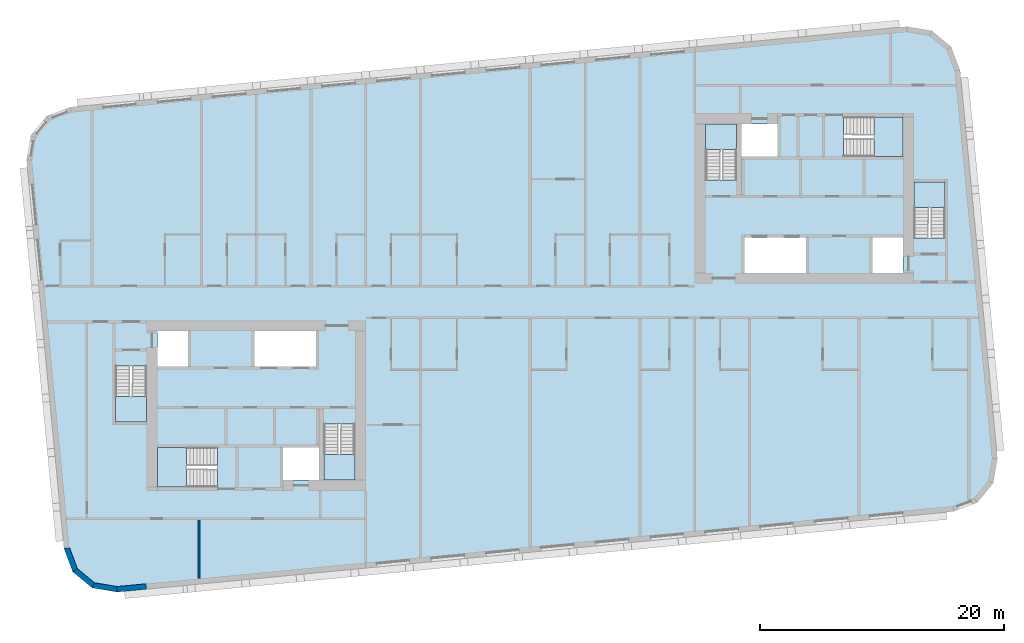
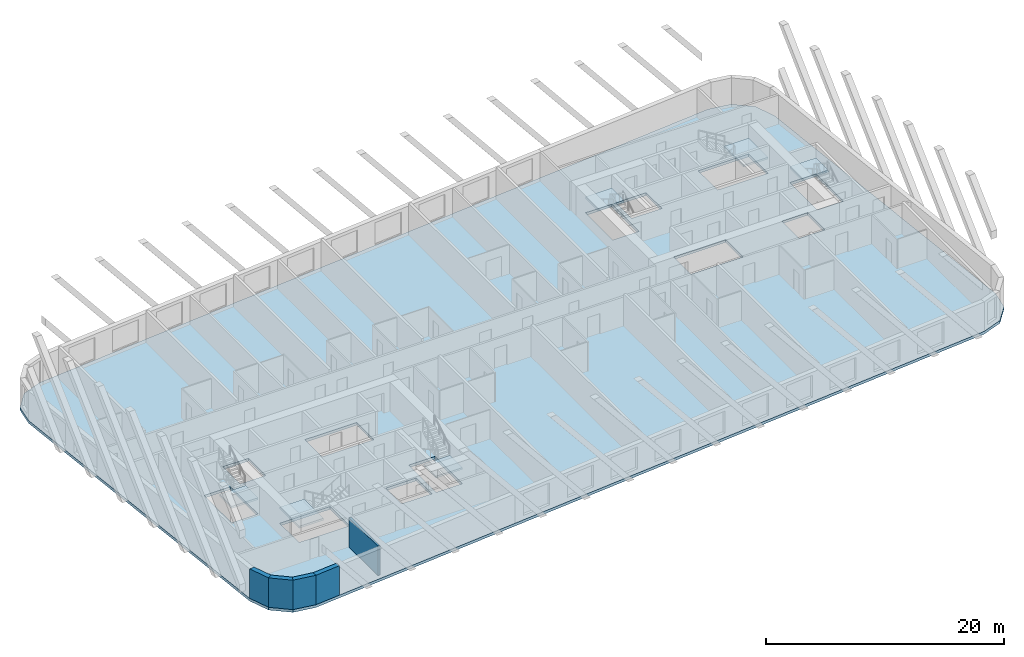
# One storey, part 1 of 12: 7 slabs, 5 walls, 6 elements without a shape of their own.
"""IFC4 building model written with IfcOpenShell, lengths in metres."""

from ifc_helpers import new_model, si_unit, direction, frame, frame_2d, origin, place, context, subcontext, project, spatial, polyline, rectangle, outline, extrude, material, layer, layer_set, type_object, element, aggregate, save


model = new_model("IFC4")

# Units and contexts
model_context = context("Model", 3, precision=1e-05, world=origin(), true_north=direction((0.0, 1.0)))
body_context = subcontext(model_context, "Body", "Model", "MODEL_VIEW")
ifc_project = project(units=[si_unit("LENGTHUNIT", "METRE"), si_unit("AREAUNIT", "SQUARE_METRE"), si_unit("VOLUMEUNIT", "CUBIC_METRE"), si_unit("PLANEANGLEUNIT", "RADIAN"), si_unit("MASSUNIT", "GRAM", prefix="KILO")], contexts=[model_context])

# Site, building, storey
site_placement = place(None, origin())
site = spatial("IfcSite", under=ifc_project, at=site_placement, CompositionType="ELEMENT")
building_placement = place(site_placement, origin())
building = spatial("IfcBuilding", under=site, at=building_placement, Name="Kajstack Hotel Tower", CompositionType="ELEMENT")
storey_placement = place(building_placement, frame((0.0, 0.0, 288.300048828125)))
storey = spatial("IfcBuildingStorey", under=building, at=storey_placement, Name="L72", CompositionType="ELEMENT", Elevation=288.300048828125)

# Slab
ifc_material_1 = material(Name="Concrete C40/50", Category="concrete")
ifc_layer_1 = layer(ifc_material_1, 0.280029296875)
ifc_layer_set_1 = layer_set([ifc_layer_1], Name="RC slab 280 C40/50 guest")
slab_type_1 = type_object("IfcSlabType", Name="RC slab 280 C40/50 guest", PredefinedType="FLOOR", material=ifc_layer_set_1)
slab_1_placement = place(storey_placement, frame((0.0, 0.0, -0.280029296875)))
element("IfcSlab", 1, at=slab_1_placement, inside=storey, type_object=slab_type_1, Name="S-slab-L72", PredefinedType="FLOOR", context=body_context, shape_type="SweptSolid", body=[
    extrude(outline(polyline([(-41.356201171875, 11.63623046875), (-38.289306640625, -20.21630859375), (-37.564208984375, -22.15576171875), (-35.96630859375, -23.472900390625), (-33.92431640625, -23.814697265625), (34.758056640625, -17.201171875), (36.697509765625, -16.47607421875), (38.014404296875, -14.87841796875), (38.356201171875, -12.836181640625), (35.289306640625, 19.016357421875), (34.564208984375, 20.955810546875), (32.96630859375, 22.27294921875), (30.92431640625, 22.614501953125), (-37.758056640625, 16.001220703125), (-39.697509765625, 15.276123046875), (-41.014404296875, 13.678466796875), (-41.356201171875, 11.63623046875)]), holes=[polyline([(-22.64990234375, -5.300048828125), (-22.64990234375, -2.39990234375), (-17.60009765625, -2.39990234375), (-17.60009765625, -5.300048828125), (-22.64990234375, -5.300048828125)]), polyline([(-20.300048828125, -14.60009765625), (-17.35009765625, -14.60009765625), (-17.35009765625, -11.949951171875), (-20.300048828125, -11.949951171875), (-20.300048828125, -14.60009765625)]), polyline([(-30.60009765625, -5.300048828125), (-28.10009765625, -5.300048828125), (-28.10009765625, -2.39990234375), (-30.60009765625, -2.39990234375), (-30.60009765625, -5.300048828125)]), polyline([(17.60009765625, 2.39990234375), (17.60009765625, 5.300048828125), (22.64990234375, 5.300048828125), (22.64990234375, 2.39990234375), (17.60009765625, 2.39990234375)]), polyline([(20.300048828125, 14.60009765625), (17.35009765625, 14.60009765625), (17.35009765625, 11.949951171875), (20.300048828125, 11.949951171875), (20.300048828125, 14.60009765625)]), polyline([(30.60009765625, 5.300048828125), (28.10009765625, 5.300048828125), (28.10009765625, 2.39990234375), (30.60009765625, 2.39990234375), (30.60009765625, 5.300048828125)]), polyline([(-34.050048828125, -9.85009765625), (-31.5, -9.85009765625), (-31.5, -5.25), (-34.050048828125, -5.25), (-34.050048828125, -9.85009765625)]), polyline([(-16.949951171875, -14.60009765625), (-14.39990234375, -14.60009765625), (-14.39990234375, -10.0), (-16.949951171875, -10.0), (-16.949951171875, -14.60009765625)]), polyline([(-30.60009765625, -15.199951171875), (-25.699951171875, -15.199951171875), (-25.699951171875, -11.949951171875), (-30.60009765625, -11.949951171875), (-30.60009765625, -15.199951171875)]), polyline([(34.050048828125, 9.85009765625), (31.5, 9.85009765625), (31.5, 5.25), (34.050048828125, 5.25), (34.050048828125, 9.85009765625)]), polyline([(16.949951171875, 14.60009765625), (14.39990234375, 14.60009765625), (14.39990234375, 10.0), (16.949951171875, 10.0), (16.949951171875, 14.60009765625)]), polyline([(30.60009765625, 15.199951171875), (25.699951171875, 15.199951171875), (25.699951171875, 11.949951171875), (30.60009765625, 11.949951171875), (30.60009765625, 15.199951171875)])]), origin(), (0.0, 0.0, 1.0), 0.280029296875),
])

# Stair, slab
stair_type_1 = type_object("IfcStairType", Name="Exit stair 1200", PredefinedType="HALF_TURN_STAIR", material=ifc_material_1)
stair_1_placement = place(storey_placement, origin())
stair_1 = element("IfcStair", 2, at=stair_1_placement, inside=storey, type_object=stair_type_1, Name="L72 stair W1", PredefinedType="HALF_TURN_STAIR")
ifc_layer_2 = layer(ifc_material_1, 0.199951171875)
ifc_layer_set_2 = layer_set([ifc_layer_2], Name="Stair landing 200")
slab_type_2 = type_object("IfcSlabType", Name="Stair landing 200", PredefinedType="LANDING", material=ifc_layer_set_2)
slab_2_placement = place(storey_placement, frame((0.0, 0.0, 1.449951171875)))
slab_2 = element("IfcSlab", 3, at=slab_2_placement, type_object=slab_type_2, Name="W1 landing 1", PredefinedType="LANDING", context=body_context, shape_type="SweptSolid", body=[
    extrude(outline(polyline([(-34.050048828125, -7.77001953125), (-34.050048828125, -9.85009765625), (-31.5, -9.85009765625), (-31.5, -7.77001953125), (-34.050048828125, -7.77001953125)])), origin(), (0.0, 0.0, 1.0), 0.199951171875),
])
aggregate(stair_1, [slab_2])

stair_2_placement = place(storey_placement, origin())
stair_2 = element("IfcStair", 4, at=stair_2_placement, inside=storey, type_object=stair_type_1, Name="L72 stair W2", PredefinedType="HALF_TURN_STAIR")
slab_3_placement = place(storey_placement, frame((0.0, 0.0, 1.449951171875)))
slab_3 = element("IfcSlab", 5, at=slab_3_placement, type_object=slab_type_2, Name="W2 landing 1", PredefinedType="LANDING", context=body_context, shape_type="SweptSolid", body=[
    extrude(outline(polyline([(-16.949951171875, -12.52001953125), (-16.949951171875, -14.60009765625), (-14.39990234375, -14.60009765625), (-14.39990234375, -12.52001953125), (-16.949951171875, -12.52001953125)])), origin(), (0.0, 0.0, 1.0), 0.199951171875),
])
aggregate(stair_2, [slab_3])

stair_type_2 = type_object("IfcStairType", Name="Exit stair 1500", PredefinedType="HALF_TURN_STAIR", material=ifc_material_1)
stair_3_placement = place(storey_placement, origin())
stair_3 = element("IfcStair", 6, at=stair_3_placement, inside=storey, type_object=stair_type_2, Name="L72 stair W3", PredefinedType="HALF_TURN_STAIR")
slab_4_placement = place(storey_placement, frame((0.0, 0.0, 1.449951171875)))
slab_4 = element("IfcSlab", 7, at=slab_4_placement, type_object=slab_type_2, Name="W3 landing 1", PredefinedType="LANDING", context=body_context, shape_type="SweptSolid", body=[
    extrude(outline(polyline([(-28.219970703125, -11.949951171875), (-30.60009765625, -11.949951171875), (-30.60009765625, -15.199951171875), (-28.219970703125, -15.199951171875), (-28.219970703125, -11.949951171875)])), origin(), (0.0, 0.0, 1.0), 0.199951171875),
])
aggregate(stair_3, [slab_4])

stair_4_placement = place(storey_placement, origin())
stair_4 = element("IfcStair", 8, at=stair_4_placement, inside=storey, type_object=stair_type_1, Name="L72 stair E1", PredefinedType="HALF_TURN_STAIR")
slab_5_placement = place(storey_placement, frame((0.0, 0.0, 1.449951171875)))
slab_5 = element("IfcSlab", 9, at=slab_5_placement, type_object=slab_type_2, Name="E1 landing 1", PredefinedType="LANDING", context=body_context, shape_type="SweptSolid", body=[
    extrude(outline(polyline([(34.050048828125, 7.77001953125), (34.050048828125, 9.85009765625), (31.5, 9.85009765625), (31.5, 7.77001953125), (34.050048828125, 7.77001953125)])), origin(), (0.0, 0.0, 1.0), 0.199951171875),
])
aggregate(stair_4, [slab_5])

stair_5_placement = place(storey_placement, origin())
stair_5 = element("IfcStair", 10, at=stair_5_placement, inside=storey, type_object=stair_type_1, Name="L72 stair E2", PredefinedType="HALF_TURN_STAIR")
slab_6_placement = place(storey_placement, frame((0.0, 0.0, 1.449951171875)))
slab_6 = element("IfcSlab", 11, at=slab_6_placement, type_object=slab_type_2, Name="E2 landing 1", PredefinedType="LANDING", context=body_context, shape_type="SweptSolid", body=[
    extrude(outline(polyline([(16.949951171875, 12.52001953125), (16.949951171875, 14.60009765625), (14.39990234375, 14.60009765625), (14.39990234375, 12.52001953125), (16.949951171875, 12.52001953125)])), origin(), (0.0, 0.0, 1.0), 0.199951171875),
])
aggregate(stair_5, [slab_6])

stair_6_placement = place(storey_placement, origin())
stair_6 = element("IfcStair", 12, at=stair_6_placement, inside=storey, type_object=stair_type_2, Name="L72 stair E3", PredefinedType="HALF_TURN_STAIR")
slab_7_placement = place(storey_placement, frame((0.0, 0.0, 1.449951171875)))
slab_7 = element("IfcSlab", 13, at=slab_7_placement, type_object=slab_type_2, Name="E3 landing 1", PredefinedType="LANDING", context=body_context, shape_type="SweptSolid", body=[
    extrude(outline(polyline([(28.219970703125, 11.949951171875), (30.60009765625, 11.949951171875), (30.60009765625, 15.199951171875), (28.219970703125, 15.199951171875), (28.219970703125, 11.949951171875)])), origin(), (0.0, 0.0, 1.0), 0.199951171875),
])
aggregate(stair_6, [slab_7])

# Walls
ifc_material_2 = material(Name="Terracotta-faced brick masonry", Category="masonry")
ifc_layer_3 = layer(ifc_material_2, 0.449951171875)
ifc_layer_set_3 = layer_set([ifc_layer_3], Name="EW-TERRA")
wall_type_1 = type_object("IfcWallType", Name="EW-TERRA", PredefinedType="SOLIDWALL", material=ifc_layer_set_3)
wall_1_placement = place(storey_placement, frame((-38.078369140625, -20.1376953125, 0.0), z_axis=(0.0, 0.0, 1.0), x_axis=(0.350231589928, -0.936663137642, 0.0)))
element("IfcWall", 14, at=wall_1_placement, inside=storey, type_object=wall_type_1, Name="E-wall-L72-01-00", PredefinedType="SOLIDWALL", context=body_context, shape_type="SweptSolid", body=[
    extrude(outline(polyline([(0.0, -0.22509765625), (2.0703125, -0.22509765625), (1.949951171875, 0.224853515625), (0.120361328125, 0.224853515625), (0.0, -0.22509765625)])), origin(), (0.0, 0.0, 1.0), 3.02001953125),
])
wall_2_placement = place(storey_placement, frame((-37.4208984375, -21.982177734375, 0.0), z_axis=(0.0, 0.0, 1.0), x_axis=(0.771593176315, -0.636116318187, 0.0)))
element("IfcWall", 15, at=wall_2_placement, inside=storey, type_object=wall_type_1, Name="E-wall-L72-02-00", PredefinedType="SOLIDWALL", context=body_context, shape_type="SweptSolid", body=[
    extrude(outline(polyline([(0.0, -0.22509765625), (2.070556640625, -0.22509765625), (1.949951171875, 0.22509765625), (0.12060546875, 0.224853515625), (0.0, -0.22509765625)])), origin(), (0.0, 0.0, 1.0), 3.02001953125),
])
wall_3_placement = place(storey_placement, frame((-35.92919921875, -23.2509765625, 0.0), z_axis=(0.0, 0.0, 1.0), x_axis=(0.986278951104, -0.165087342366, 0.0)))
element("IfcWall", 16, at=wall_3_placement, inside=storey, type_object=wall_type_1, Name="E-wall-L72-03-00", PredefinedType="SOLIDWALL", context=body_context, shape_type="SweptSolid", body=[
    extrude(outline(polyline([(0.0, -0.22509765625), (2.070556640625, -0.224853515625), (1.949951171875, 0.22509765625), (0.12060546875, 0.22509765625), (0.0, -0.22509765625)])), origin(), (0.0, 0.0, 1.0), 3.02001953125),
])
wall_4_placement = place(storey_placement, frame((-33.94580078125, -23.590576171875, 0.0), z_axis=(0.0, 0.0, 1.0), x_axis=(0.995397635156, 0.095830829729, 0.0)))
element("IfcWall", 17, at=wall_4_placement, inside=storey, type_object=wall_type_1, Name="E-wall-L72-04-00", PredefinedType="SOLIDWALL", context=body_context, shape_type="SweptSolid", body=[
    extrude(rectangle(XDim=2.435546875, YDim=0.449951171875, at=frame_2d((1.2177734375, 0.0))), origin(), (0.0, 0.0, 1.0), 3.02001953125),
])
ifc_material_3 = material(Name="Gypsum board on steel studs, mineral wool", Category="steel")
ifc_layer_4 = layer(ifc_material_3, 0.199951171875)
ifc_layer_set_4 = layer_set([ifc_layer_4], Name="Service partition 200")
wall_type_2 = type_object("IfcWallType", Name="Service partition 200", PredefinedType="PARTITIONING", material=ifc_layer_set_4)
wall_5_placement = place(storey_placement, frame((-27.199951171875, -22.716064453125, 0.0), z_axis=(0.0, 0.0, 1.0), x_axis=(0.0, 1.0, 0.0)))
element("IfcWall", 18, at=wall_5_placement, inside=storey, type_object=wall_type_2, Name="Partition W SLP0", PredefinedType="PARTITIONING", context=body_context, shape_type="SweptSolid", body=[
    extrude(rectangle(XDim=4.816162109375, YDim=0.199951171875, at=frame_2d((2.408203125, 0.0))), origin(), (0.0, 0.0, 1.0), 3.02001953125),
])

save(model, "model.ifc")
